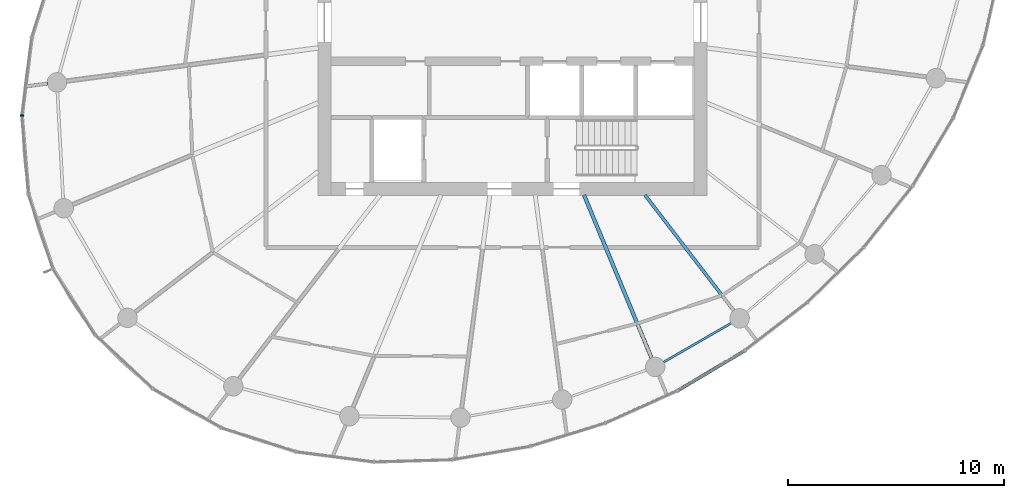
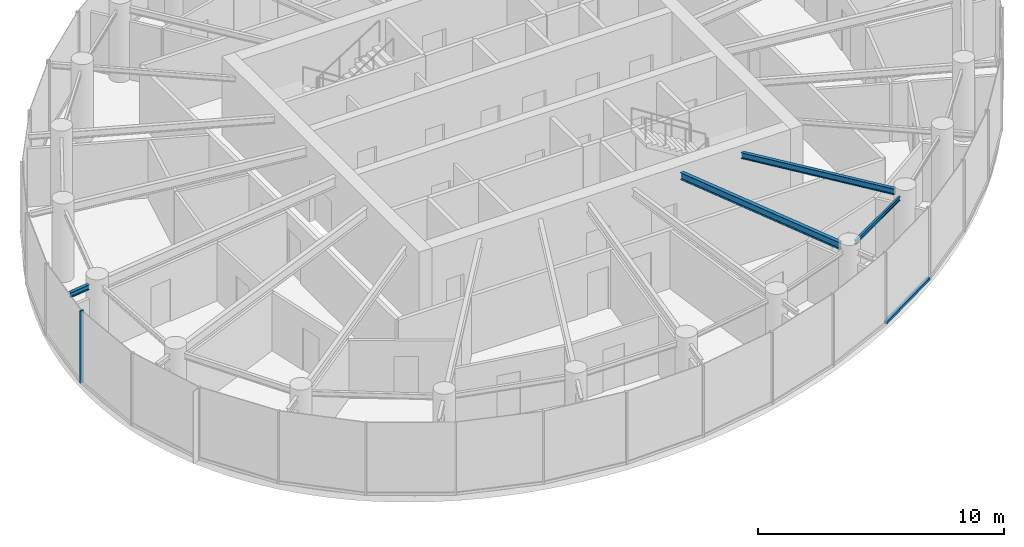
# One storey, part 3 of 15: 4 beams, 2 members, 2 elements without a shape of their own.
"""IFC4 building model written with IfcOpenShell, lengths in metres."""

from ifc_helpers import new_model, si_unit, direction, frame, origin, origin_2d, place, context, subcontext, project, spatial, rectangle, i_section, extrude, source, transform, mapped, material, layer, layer_set, material_profile, profile_set, type_object, element, aggregate, save


model = new_model("IFC4")

# Units and contexts
model_context = context("Model", 3, precision=1e-05, world=origin(), true_north=direction((0.0, 1.0)))
body_context = subcontext(model_context, "Body", "Model", "MODEL_VIEW")
ifc_project = project(units=[si_unit("LENGTHUNIT", "METRE"), si_unit("AREAUNIT", "SQUARE_METRE"), si_unit("VOLUMEUNIT", "CUBIC_METRE"), si_unit("PLANEANGLEUNIT", "RADIAN"), si_unit("MASSUNIT", "GRAM", prefix="KILO")], contexts=[model_context])

# Site, building, storey
site_placement = place(None, origin())
site = spatial("IfcSite", under=ifc_project, at=site_placement, CompositionType="ELEMENT")
building_placement = place(site_placement, origin())
building = spatial("IfcBuilding", under=site, at=building_placement, Name="Spindrift Exchange Tower", CompositionType="ELEMENT")
storey_placement = place(building_placement, frame((0.0, 0.0, 195.5)))
storey = spatial("IfcBuildingStorey", under=building, at=storey_placement, Name="L47", CompositionType="ELEMENT", Elevation=195.5)

# Beams
ifc_material_1 = material(Name="Steel Grade 300", Category="steel")
ifc_material_profile_1 = material_profile(ifc_material_1, i_section(OverallWidth=0.1708984375, OverallDepth=0.35205078125, WebThickness=0.0068359375, FlangeThickness=0.009765625, FilletRadius=0.013916015625, at=origin_2d()), Name="360UB44.7")
ifc_profile_set_1 = profile_set([ifc_material_profile_1], Name="Steel Grade 300")
beam_type_1 = type_object("IfcBeamType", Name="Floor Beam 360UB44.7 Steel Grade 300", PredefinedType="BEAM", material=ifc_profile_set_1)
shared_shape_1 = source(origin(), body_context, "Body", "SweptSolid", [
    extrude(i_section(OverallWidth=0.1708984375, OverallDepth=0.35205078125, WebThickness=0.0068359375, FlangeThickness=0.009765625, FilletRadius=0.013916015625, at=origin_2d()), origin(), (0.0, 0.0, 1.0), 8.1748046875),
])
beam_1_placement = place(storey_placement, frame((55.30615234375, 40.0185546875, 3.404052734375), z_axis=(0.382655117626, -0.923891260352, 0.0), x_axis=(0.923891260352, 0.382655117626, 0.0)))
element("IfcBeam", 1, at=beam_1_placement, inside=storey, type_object=beam_type_1, Name="L47 radial beam R20A", PredefinedType="BEAM", context=body_context, shape_type="MappedRepresentation", body=[
    mapped(shared_shape_1, transform((0.0, 0.0, 0.0), scale=1.0)),
])
ifc_material_profile_2 = material_profile(ifc_material_1, i_section(OverallWidth=0.14892578125, OverallDepth=0.298095703125, WebThickness=0.005615234375, FlangeThickness=0.008056640625, FilletRadius=0.012939453125, at=origin_2d()), Name="310UB32.0")
ifc_profile_set_2 = profile_set([ifc_material_profile_2], Name="Steel Grade 300")
beam_type_2 = type_object("IfcBeamType", Name="Floor Beam 310UB32.0 Steel Grade 300", PredefinedType="BEAM", material=ifc_profile_set_2)
shared_shape_2 = source(origin(), body_context, "Body", "SweptSolid", [
    extrude(i_section(OverallWidth=0.14892578125, OverallDepth=0.298095703125, WebThickness=0.005615234375, FlangeThickness=0.008056640625, FilletRadius=0.012939453125, at=origin_2d()), origin(), (0.0, 0.0, 1.0), 6.753173828125),
])
beam_2_placement = place(storey_placement, frame((58.12646484375, 40.015869140625, 3.430908203125), z_axis=(0.608761639459, -0.793353178807, 0.0), x_axis=(0.793353178807, 0.608761639459, 0.0)))
element("IfcBeam", 2, at=beam_2_placement, inside=storey, type_object=beam_type_2, Name="L47 radial beam R21A", PredefinedType="BEAM", context=body_context, shape_type="MappedRepresentation", body=[
    mapped(shared_shape_2, transform((0.0, 0.0, 0.0), scale=1.0)),
])
ifc_material_profile_3 = material_profile(ifc_material_1, i_section(OverallWidth=0.09912109375, OverallDepth=0.197998046875, WebThickness=0.00439453125, FlangeThickness=0.007080078125, FilletRadius=0.010986328125, at=origin_2d()), Name="200UB18.2")
ifc_profile_set_3 = profile_set([ifc_material_profile_3], Name="Steel Grade 300")
beam_type_3 = type_object("IfcBeamType", Name="Edge Beam 200UB18.2 Steel Grade 300", PredefinedType="SPANDREL", material=ifc_profile_set_3)
shared_shape_3 = source(origin(), body_context, "Body", "SweptSolid", [
    extrude(i_section(OverallWidth=0.09912109375, OverallDepth=0.197998046875, WebThickness=0.00439453125, FlangeThickness=0.007080078125, FilletRadius=0.010986328125, at=origin_2d()), origin(), (0.0, 0.0, 1.0), 3.64208984375),
])
beam_3_placement = place(storey_placement, frame((58.971435546875, 32.283447265625, 3.48095703125), z_axis=(0.866364093123, 0.499412913476, 0.0), x_axis=(-0.499412913476, 0.866364093123, 0.0)))
element("IfcBeam", 3, at=beam_3_placement, inside=storey, type_object=beam_type_3, Name="L47 edge beam E20", PredefinedType="SPANDREL", context=body_context, shape_type="MappedRepresentation", body=[
    mapped(shared_shape_3, transform((0.0, 0.0, 0.0), scale=1.0)),
])
ifc_material_profile_4 = material_profile(ifc_material_1, i_section(OverallWidth=0.14599609375, OverallDepth=0.251953125, WebThickness=0.006103515625, FlangeThickness=0.008544921875, FilletRadius=0.011962890625, at=origin_2d()), Name="250UB31.4")
ifc_profile_set_4 = profile_set([ifc_material_profile_4], Name="Steel Grade 300")
beam_type_4 = type_object("IfcBeamType", Name="Cantilever Beam 250UB31.4 Steel Grade 300", PredefinedType="BEAM", material=ifc_profile_set_4)
shared_shape_4 = source(origin(), body_context, "Body", "SweptSolid", [
    extrude(i_section(OverallWidth=0.14599609375, OverallDepth=0.251953125, WebThickness=0.006103515625, FlangeThickness=0.008544921875, FilletRadius=0.011962890625, at=origin_2d()), origin(), (0.0, 0.0, 1.0), 0.96142578125),
])
beam_4_placement = place(storey_placement, frame((30.511474609375, 45.1708984375, 3.4541015625), z_axis=(-0.991443919805, -0.13053334395, 0.0), x_axis=(0.13053334395, -0.991443919805, 0.0)))
element("IfcBeam", 4, at=beam_4_placement, inside=storey, type_object=beam_type_4, Name="L47 cantilever beam R13T", PredefinedType="BEAM", context=body_context, shape_type="MappedRepresentation", body=[
    mapped(shared_shape_4, transform((0.0, 0.0, 0.0), scale=1.0)),
])

# Curtain wall, member
ifc_material_2 = material(Name="Fritted laminated glass with bronze frame", Category="glass")
ifc_layer = layer(ifc_material_2, 0.169921875)
ifc_layer_set = layer_set([ifc_layer], Name="ZONE 4 BRONZE FRITTED WALL")
curtain_wall_type = type_object("IfcCurtainWallType", Name="ZONE 4 BRONZE FRITTED WALL", PredefinedType="NOTDEFINED", material=ifc_layer_set)
curtain_wall_1_placement = place(storey_placement, origin())
curtain_wall_1 = element("IfcCurtainWall", 5, at=curtain_wall_1_placement, inside=storey, type_object=curtain_wall_type, Name="L47 Zone 4 Bronze Fritted Wall run 5", PredefinedType="NOTDEFINED")
ifc_material_3 = material(Name="Bronze anodised aluminium", Category="aluminium")
ifc_material_profile_5 = material_profile(ifc_material_3, rectangle(XDim=0.14990234375, YDim=0.125, at=origin_2d()), Name="ZONE 4 BRONZE FRITTED WALL TRANSOM 150X125")
ifc_profile_set_5 = profile_set([ifc_material_profile_5], Name="Bronze anodised aluminium")
member_type_1 = type_object("IfcMemberType", Name="ZONE 4 BRONZE FRITTED WALL TRANSOM 150X125", PredefinedType="USERDEFINED", material=ifc_profile_set_5)
shared_shape_5 = source(origin(), body_context, "Body", "SweptSolid", [
    extrude(rectangle(XDim=0.14990234375, YDim=0.125, at=origin_2d()), origin(), (0.0, 0.0, 1.0), 3.577880859375),
])
member_1_placement = place(storey_placement, frame((59.651123046875, 30.9775390625, 0.0625), z_axis=(0.858520740234, 0.51277883984, 0.0), x_axis=(-0.51277883984, 0.858520740234, 0.0)))
member_1 = element("IfcMember", 6, at=member_1_placement, type_object=member_type_1, Name="L47 transom CW-4.28", ObjectType="TRANSOM", PredefinedType="USERDEFINED", context=body_context, shape_type="MappedRepresentation", body=[
    mapped(shared_shape_5, transform((0.0, 0.0, 0.0), scale=1.0)),
])
aggregate(curtain_wall_1, [member_1])

curtain_wall_2_placement = place(storey_placement, origin())
curtain_wall_2 = element("IfcCurtainWall", 7, at=curtain_wall_2_placement, inside=storey, type_object=curtain_wall_type, Name="L47 Zone 4 Bronze Fritted Wall run 3", PredefinedType="NOTDEFINED")
ifc_material_profile_6 = material_profile(ifc_material_3, rectangle(XDim=0.06494140625, YDim=0.169921875, at=origin_2d()), Name="ZONE 4 BRONZE FRITTED WALL MULLION 65X170")
ifc_profile_set_6 = profile_set([ifc_material_profile_6], Name="Bronze anodised aluminium")
member_type_2 = type_object("IfcMemberType", Name="ZONE 4 BRONZE FRITTED WALL MULLION 65X170", PredefinedType="MULLION", material=ifc_profile_set_6)
shared_shape_6 = source(origin(), body_context, "Body", "SweptSolid", [
    extrude(rectangle(XDim=0.06494140625, YDim=0.169921875, at=origin_2d()), origin(), (0.0, 0.0, 1.0), 3.580078125),
])
member_2_placement = place(storey_placement, frame((29.31494140625, 43.688720703125, 0.0), z_axis=(0.0, 0.0, 1.0), x_axis=(-0.021200010225, -0.999775254528, 0.0)))
member_2 = element("IfcMember", 8, at=member_2_placement, type_object=member_type_2, Name="L47 mullion CW-4.17", PredefinedType="MULLION", context=body_context, shape_type="MappedRepresentation", body=[
    mapped(shared_shape_6, transform((0.0, 0.0, 0.0), scale=1.0)),
])
aggregate(curtain_wall_2, [member_2])

save(model, "model.ifc")
